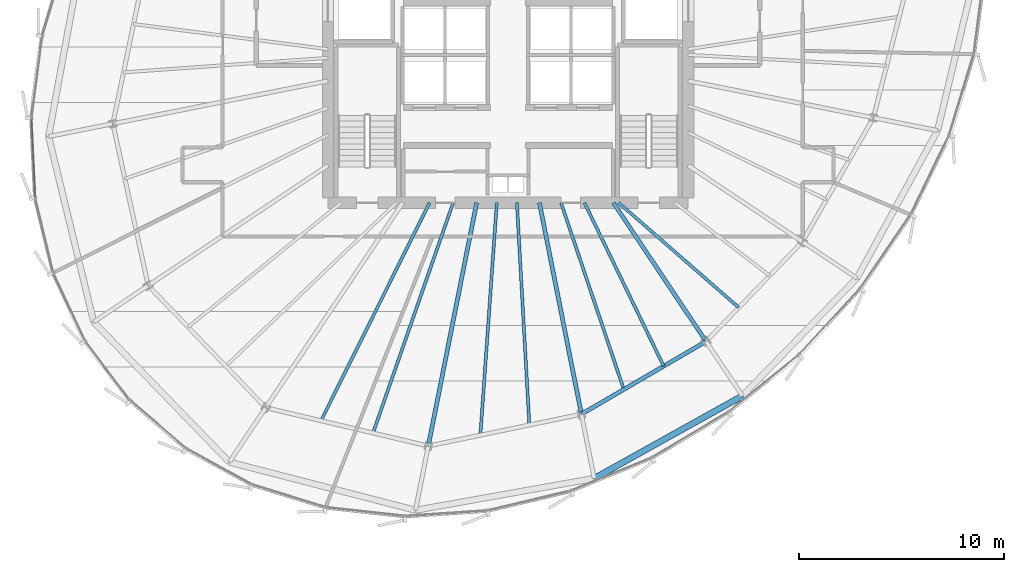
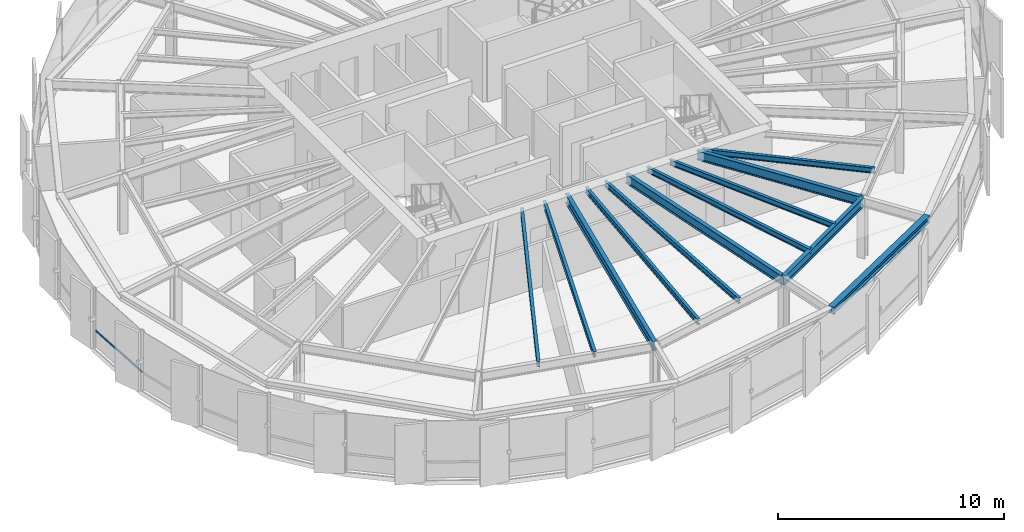
# One storey, part 7 of 34: 12 beams, 1 member, 1 element without a shape of its own.
"""IFC4 building model written with IfcOpenShell, lengths in metres."""

import ifcopenshell
import ifcopenshell.guid

model = None  # the IFC model being written
_history = None  # IfcOwnerHistory: only IFC2X3 demands one
_inside = {}  # id of a spatial element -> (the spatial element, [elements in it])
_under = {}  # id of a project, library or spatial element -> (it, [spatial elements below it])
_declared = {}  # id of a project -> (the project, [libraries it declares])
_typed = {}  # id of a type object -> (the type object, [elements of that type])
_made_of = {}  # id of a material, layer set ... -> (it, [elements and type objects made of it])


def new_model(schema):
    """Start an empty IFC model of exactly this schema.

    Asked for "IFC4X3", IfcOpenShell would pick the latest addendum, in which some entities
    have other attributes; the version numbers below select the first issue.
    IFC2X3 requires an IfcOwnerHistory on every rooted entity: one is made here for all.
    """
    global model, _history
    if schema == "IFC4X3":
        model = ifcopenshell.file(schema_version=(4, 3, 0, 0))
    else:
        model = ifcopenshell.file(schema=schema)
    _inside.clear()
    _under.clear()
    _declared.clear()
    _typed.clear()
    _made_of.clear()
    _history = None
    if model.schema == "IFC2X3":
        org = make("IfcOrganization", Name="unknown")
        user = make(
            "IfcPersonAndOrganization",
            ThePerson=make("IfcPerson", FamilyName="unknown"),
            TheOrganization=org,
        )
        app = make(
            "IfcApplication",
            ApplicationDeveloper=org,
            Version="unknown",
            ApplicationFullName="unknown",
            ApplicationIdentifier="unknown",
        )
        _history = make(
            "IfcOwnerHistory",
            OwningUser=user,
            OwningApplication=app,
            ChangeAction="ADDED",
            CreationDate=0,
        )
    return model


def make(cls, **values):
    """One entity of the class cls with the attributes given. An attribute that is None is left unset."""
    return model.create_entity(
        cls, **{name: value for name, value in values.items() if value is not None}
    )


def rooted(cls, **values):
    """An entity with a GlobalId (a new one), such as an element, a storey or a relation."""
    return make(cls, GlobalId=ifcopenshell.guid.new(), OwnerHistory=_history, **values)


def si_unit(unit_type, name, prefix=None):
    """IfcSIUnit, for example si_unit("LENGTHUNIT", "METRE", prefix="MILLI")."""
    return make("IfcSIUnit", UnitType=unit_type, Prefix=prefix, Name=name)


def assignment(units):
    """IfcUnitAssignment: the units of a project."""
    return None if units is None else make("IfcUnitAssignment", Units=units)


def point(xyz):
    """IfcCartesianPoint."""
    return None if xyz is None else make("IfcCartesianPoint", Coordinates=xyz)


def direction(xyz):
    """IfcDirection."""
    return None if xyz is None else make("IfcDirection", DirectionRatios=xyz)


def frame(location, z_axis=None, x_axis=None):
    """IfcAxis2Placement3D, a coordinate frame: its origin and axes. An axis left out is left unset."""
    return make(
        "IfcAxis2Placement3D",
        Location=point(location),
        Axis=direction(z_axis),
        RefDirection=direction(x_axis),
    )


def frame_2d(location, x_axis=None):
    """IfcAxis2Placement2D, a coordinate frame in the plane: its origin and x axis."""
    return make(
        "IfcAxis2Placement2D", Location=point(location), RefDirection=direction(x_axis)
    )


def origin():
    """The frame at (0, 0, 0) with its axes left unset."""
    return frame((0.0, 0.0, 0.0))


def origin_2d():
    """The frame at (0, 0) in the plane with its x axis left unset."""
    return frame_2d((0.0, 0.0))


def place(relative_to, where):
    """IfcLocalPlacement: puts the frame where relative to a parent placement (None: the world)."""
    return make(
        "IfcLocalPlacement", PlacementRelTo=relative_to, RelativePlacement=where
    )


def context(
    kind, dimensions, precision=None, world=None, true_north=None, identifier=None
):
    """IfcGeometricRepresentationContext, for example the 3D "Model" context."""
    return make(
        "IfcGeometricRepresentationContext",
        ContextIdentifier=identifier,
        ContextType=kind,
        CoordinateSpaceDimension=dimensions,
        Precision=precision,
        WorldCoordinateSystem=world,
        TrueNorth=true_north,
    )


def subcontext(parent, identifier, kind, view, scale=None):
    """IfcGeometricRepresentationSubContext, for example "Body" below "Model"."""
    return make(
        "IfcGeometricRepresentationSubContext",
        ContextIdentifier=identifier,
        ContextType=kind,
        ParentContext=parent,
        TargetScale=scale,
        TargetView=view,
    )


def project(units=None, contexts=None):
    """IfcProject with its units and contexts."""
    return rooted(
        "IfcProject",
        Name="project",
        RepresentationContexts=contexts,
        UnitsInContext=assignment(units),
    )


def spatial(cls, under=None, at=None, **own):
    """A site, building, storey or space (cls), placed at a placement, below another one or the project."""
    s = rooted(cls, ObjectPlacement=at, **own)
    if under is not None:
        _under.setdefault(under.id(), (under, []))[1].append(s)
    return s


def profile(cls, at=None, kind="AREA", **sizes):
    """A parametric profile (cls). Its sizes go by their IFC names, for example OverallWidth=200.0."""
    return make(cls, ProfileType=kind, Position=at, **sizes)


def hollow_rectangle(**sizes):
    """IfcRectangleHollowProfileDef."""
    return profile("IfcRectangleHollowProfileDef", **sizes)


def i_section(**sizes):
    """IfcIShapeProfileDef."""
    return profile("IfcIShapeProfileDef", **sizes)


def extrude(swept, where, along, depth):
    """IfcExtrudedAreaSolid: the profile swept, set in the frame where, extruded along a direction by depth."""
    return make(
        "IfcExtrudedAreaSolid",
        SweptArea=swept,
        Position=where,
        ExtrudedDirection=direction(along),
        Depth=depth,
    )


def shape(context_of_items, identifier, shape_type, items):
    """IfcShapeRepresentation: the items that make up one representation, for example the "Body"."""
    return make(
        "IfcShapeRepresentation",
        ContextOfItems=context_of_items,
        RepresentationIdentifier=identifier,
        RepresentationType=shape_type,
        Items=items,
    )


def source(mapping_origin, context_of_items, identifier, shape_type, items):
    """IfcRepresentationMap: a shape defined once, which mapped items show again and again."""
    return make(
        "IfcRepresentationMap",
        MappingOrigin=mapping_origin,
        MappedRepresentation=shape(context_of_items, identifier, shape_type, items),
    )


def transform(
    local_origin,
    x_axis=None,
    y_axis=None,
    z_axis=None,
    scale=None,
    scale2=None,
    scale3=None,
    uniform=True,
):
    """IfcCartesianTransformationOperator3D, or its non-uniform kind. x_axis, y_axis, z_axis: its Axis1, 2, 3."""
    if uniform:
        return make(
            "IfcCartesianTransformationOperator3D",
            Axis1=direction(x_axis),
            Axis2=direction(y_axis),
            LocalOrigin=point(local_origin),
            Scale=scale,
            Axis3=direction(z_axis),
        )
    return make(
        "IfcCartesianTransformationOperator3DnonUniform",
        Axis1=direction(x_axis),
        Axis2=direction(y_axis),
        LocalOrigin=point(local_origin),
        Scale=scale,
        Axis3=direction(z_axis),
        Scale2=scale2,
        Scale3=scale3,
    )


def mapped(mapping_source, mapping_target):
    """IfcMappedItem: shows the shape of a source again, moved by a transform."""
    return make(
        "IfcMappedItem", MappingSource=mapping_source, MappingTarget=mapping_target
    )


def material(Name=None, Category=None):
    """IfcMaterial."""
    return make("IfcMaterial", Name=Name, Category=Category)


def layer(
    of_material, thickness, ventilated=None, Name=None, Category=None, Priority=None
):
    """IfcMaterialLayer: one layer of a wall or slab, of a material (None: an air gap)."""
    return make(
        "IfcMaterialLayer",
        Material=of_material,
        LayerThickness=thickness,
        IsVentilated=ventilated,
        Name=Name,
        Category=Category,
        Priority=Priority,
    )


def layer_set(layers, Name=None):
    """IfcMaterialLayerSet."""
    return make("IfcMaterialLayerSet", MaterialLayers=layers, LayerSetName=Name)


def material_profile(
    of_material, cross_section, Name=None, Category=None, Priority=None
):
    """IfcMaterialProfile: a cross section and its material."""
    return make(
        "IfcMaterialProfile",
        Name=Name,
        Material=of_material,
        Profile=cross_section,
        Priority=Priority,
        Category=Category,
    )


def profile_set(profiles, Name=None, composite=None):
    """IfcMaterialProfileSet."""
    return make(
        "IfcMaterialProfileSet",
        Name=Name,
        MaterialProfiles=profiles,
        CompositeProfile=composite,
    )


def made_of(thing, what):
    """Note that an element or type object is made of a material, layer set ...; save() writes the relation."""
    if what is not None:
        _made_of.setdefault(what.id(), (what, []))[1].append(thing)
    return thing


def type_object(cls, material=None, **own):
    """A type object (cls), such as IfcWallType, which elements share."""
    return made_of(rooted(cls, **own), material)


def element(
    cls,
    number,
    at=None,
    inside=None,
    cuts=None,
    type_object=None,
    material=None,
    context=None,
    identifier="Body",
    shape_type=None,
    held_by="IfcProductDefinitionShape",
    body=None,
    shapes=None,
    **own,
):
    """One element of the class cls, such as IfcWall. Its Tag is "e" and its number.

    at: its placement. inside: the storey or other place that contains it. cuts: it is an
    opening in that element (IfcRelVoidsElement). A single representation is given by context,
    identifier, shape_type and body (its items); several are given by shapes. held_by: the class
    of the entity that holds the representations. save() writes the other relations.
    """
    e = rooted(cls, Tag="e%d" % number, ObjectPlacement=at, **own)
    if body is not None:
        shapes = [shape(context, identifier, shape_type, body)]
    if shapes is not None:
        e.Representation = make(held_by, Representations=shapes)
    if inside is not None:
        _inside.setdefault(inside.id(), (inside, []))[1].append(e)
    if cuts is not None:
        rooted(
            "IfcRelVoidsElement", RelatingBuildingElement=cuts, RelatedOpeningElement=e
        )
    if type_object is not None:
        _typed.setdefault(type_object.id(), (type_object, []))[1].append(e)
    return made_of(e, material)


def aggregate(whole, parts):
    """IfcRelAggregates: a whole, such as a stair, and the parts it consists of."""
    return rooted("IfcRelAggregates", RelatingObject=whole, RelatedObjects=parts)


def save(model, path):
    """Write the relations noted so far, then the file.

    IfcRelAggregates (storeys below a building ...), IfcRelContainedInSpatialStructure (elements
    in a storey), IfcRelDefinesByType, IfcRelAssociatesMaterial and IfcRelDeclares: one each for
    every whole, place, type object, material and project.
    """
    for whole, parts in _under.values():
        aggregate(whole, parts)
    for where, things in _inside.values():
        rooted(
            "IfcRelContainedInSpatialStructure",
            RelatedElements=things,
            RelatingStructure=where,
        )
    for kind, things in _typed.values():
        rooted("IfcRelDefinesByType", RelatedObjects=things, RelatingType=kind)
    for what, things in _made_of.values():
        rooted("IfcRelAssociatesMaterial", RelatedObjects=things, RelatingMaterial=what)
    for by, libraries in _declared.values():
        rooted("IfcRelDeclares", RelatingContext=by, RelatedDefinitions=libraries)
    model.write(path)


model = new_model("IFC4")

# Units and contexts
model_context = context("Model", 3, precision=1e-05, world=origin(), true_north=direction((0.0, 1.0)))
body_context = subcontext(model_context, "Body", "Model", "MODEL_VIEW")
ifc_project = project(units=[si_unit("LENGTHUNIT", "METRE"), si_unit("AREAUNIT", "SQUARE_METRE"), si_unit("VOLUMEUNIT", "CUBIC_METRE"), si_unit("PLANEANGLEUNIT", "RADIAN"), si_unit("MASSUNIT", "GRAM", prefix="KILO"), si_unit("THERMODYNAMICTEMPERATUREUNIT", "KELVIN")], contexts=[model_context])

# Site, building, storey
site_placement = place(None, origin())
site = spatial("IfcSite", under=ifc_project, at=site_placement, CompositionType="ELEMENT")
building_placement = place(site_placement, origin())
building = spatial("IfcBuilding", under=site, at=building_placement, Name="Kethvar Cultural Tower", CompositionType="ELEMENT")
storey_placement = place(building_placement, frame((0.0, 0.0, 207.89990234375)))
storey = spatial("IfcBuildingStorey", under=building, at=storey_placement, Name="L54", CompositionType="ELEMENT", Elevation=207.89990234375)

# Beams
ifc_material_1 = material(Name="Steel S355J2", Category="steel")
ifc_material_profile_1 = material_profile(ifc_material_1, i_section(OverallWidth=0.199951171875, OverallDepth=0.5, WebThickness=0.01025390625, FlangeThickness=0.01611328125, FilletRadius=0.02099609375, at=origin_2d()), Name="Steel S355J2 — IPE500")
ifc_profile_set_1 = profile_set([ifc_material_profile_1], Name="Steel S355J2 — IPE500")
beam_type_1 = type_object("IfcBeamType", Name="BM-IPE500", PredefinedType="BEAM", material=ifc_profile_set_1)
shared_shape_1 = source(origin(), body_context, "Body", "SweptSolid", [
    extrude(i_section(OverallWidth=0.199951171875, OverallDepth=0.5, WebThickness=0.01025390625, FlangeThickness=0.01611328125, FilletRadius=0.02099609375, at=origin_2d()), origin(), (0.0, 0.0, 1.0), 12.1220703125),
])
beam_1_placement = place(storey_placement, frame((45.268310546875, 20.10009765625, 3.008056640625), z_axis=(-0.195078030057, -0.980787725346, 0.0), x_axis=(0.980787725346, -0.195078030057, 0.0)))
element("IfcBeam", 1, at=beam_1_placement, inside=storey, type_object=beam_type_1, Name="L54 Primary Radial Beam RB-12", PredefinedType="BEAM", context=body_context, shape_type="MappedRepresentation", body=[
    mapped(shared_shape_1, transform((0.0, 0.0, 0.0), scale=1.0)),
])
shared_shape_2 = source(origin(), body_context, "Body", "SweptSolid", [
    extrude(i_section(OverallWidth=0.199951171875, OverallDepth=0.5, WebThickness=0.01025390625, FlangeThickness=0.01611328125, FilletRadius=0.02099609375, at=origin_2d()), origin(), (0.0, 0.0, 1.0), 10.533935546875),
])
beam_2_placement = place(storey_placement, frame((48.33154296875, 20.10009765625, 3.008056640625), z_axis=(0.19509982917, -0.980783389265, 0.0), x_axis=(0.980783389265, 0.19509982917, 0.0)))
element("IfcBeam", 2, at=beam_2_placement, inside=storey, type_object=beam_type_1, Name="L54 Primary Radial Beam RB-13", PredefinedType="BEAM", context=body_context, shape_type="MappedRepresentation", body=[
    mapped(shared_shape_2, transform((0.0, 0.0, 0.0), scale=1.0)),
])
shared_shape_3 = source(origin(), body_context, "Body", "SweptSolid", [
    extrude(i_section(OverallWidth=0.199951171875, OverallDepth=0.5, WebThickness=0.01025390625, FlangeThickness=0.01611328125, FilletRadius=0.02099609375, at=origin_2d()), origin(), (0.0, 0.0, 1.0), 8.1533203125),
])
beam_3_placement = place(storey_placement, frame((51.945068359375, 20.10009765625, 3.008056640625), z_axis=(0.555549853936, -0.831483228809, 0.0), x_axis=(0.831483228809, 0.555549853936, 0.0)))
element("IfcBeam", 3, at=beam_3_placement, inside=storey, type_object=beam_type_1, Name="L54 Primary Radial Beam RB-14", PredefinedType="BEAM", context=body_context, shape_type="MappedRepresentation", body=[
    mapped(shared_shape_3, transform((0.0, 0.0, 0.0), scale=1.0)),
])
ifc_material_profile_2 = material_profile(ifc_material_1, i_section(OverallWidth=0.14990234375, OverallDepth=0.300048828125, WebThickness=0.007080078125, FlangeThickness=0.0107421875, FilletRadius=0.014892578125, at=origin_2d()), Name="Steel S355J2 — IPE300")
ifc_profile_set_2 = profile_set([ifc_material_profile_2], Name="Steel S355J2 — IPE300")
beam_type_2 = type_object("IfcBeamType", Name="BM-J300", PredefinedType="JOIST", material=ifc_profile_set_2)
shared_shape_4 = source(origin(), body_context, "Body", "SweptSolid", [
    extrude(i_section(OverallWidth=0.14990234375, OverallDepth=0.300048828125, WebThickness=0.007080078125, FlangeThickness=0.0107421875, FilletRadius=0.014892578125, at=origin_2d()), origin(), (0.0, 0.0, 1.0), 11.900146484375),
])
beam_4_placement = place(storey_placement, frame((42.96630859375, 20.10009765625, 3.108154296875), z_axis=(-0.445686564233, -0.89518907861, 0.0), x_axis=(0.89518907861, -0.445686564233, 0.0)))
element("IfcBeam", 4, at=beam_4_placement, inside=storey, type_object=beam_type_2, Name="L54 Composite Floor Joist J-11A", PredefinedType="JOIST", context=body_context, shape_type="MappedRepresentation", body=[
    mapped(shared_shape_4, transform((0.0, 0.0, 0.0), scale=1.0)),
])
shared_shape_5 = source(origin(), body_context, "Body", "SweptSolid", [
    extrude(i_section(OverallWidth=0.14990234375, OverallDepth=0.300048828125, WebThickness=0.007080078125, FlangeThickness=0.0107421875, FilletRadius=0.014892578125, at=origin_2d()), origin(), (0.0, 0.0, 1.0), 11.914306640625),
])
beam_5_placement = place(storey_placement, frame((44.1201171875, 20.10009765625, 3.108154296875), z_axis=(-0.328722490218, -0.944426558513, 0.0), x_axis=(0.944426558513, -0.328722490218, 0.0)))
element("IfcBeam", 5, at=beam_5_placement, inside=storey, type_object=beam_type_2, Name="L54 Composite Floor Joist J-11B", PredefinedType="JOIST", context=body_context, shape_type="MappedRepresentation", body=[
    mapped(shared_shape_5, transform((0.0, 0.0, 0.0), scale=1.0)),
])
shared_shape_6 = source(origin(), body_context, "Body", "SweptSolid", [
    extrude(i_section(OverallWidth=0.14990234375, OverallDepth=0.300048828125, WebThickness=0.007080078125, FlangeThickness=0.0107421875, FilletRadius=0.014892578125, at=origin_2d()), origin(), (0.0, 0.0, 1.0), 11.38818359375),
])
beam_6_placement = place(storey_placement, frame((46.253662109375, 20.10009765625, 3.108154296875), z_axis=(-0.070767133242, -0.99749286356, 0.0), x_axis=(0.99749286356, -0.070767133242, 0.0)))
element("IfcBeam", 6, at=beam_6_placement, inside=storey, type_object=beam_type_2, Name="L54 Composite Floor Joist J-12A", PredefinedType="JOIST", context=body_context, shape_type="MappedRepresentation", body=[
    mapped(shared_shape_6, transform((0.0, 0.0, 0.0), scale=1.0)),
])
shared_shape_7 = source(origin(), body_context, "Body", "SweptSolid", [
    extrude(i_section(OverallWidth=0.14990234375, OverallDepth=0.300048828125, WebThickness=0.007080078125, FlangeThickness=0.0107421875, FilletRadius=0.014892578125, at=origin_2d()), origin(), (0.0, 0.0, 1.0), 10.878173828125),
])
beam_7_placement = place(storey_placement, frame((47.232421875, 20.10009765625, 3.108154296875), z_axis=(0.056062922639, -0.998427237562, 0.0), x_axis=(0.998427237562, 0.056062922639, 0.0)))
element("IfcBeam", 7, at=beam_7_placement, inside=storey, type_object=beam_type_2, Name="L54 Composite Floor Joist J-12B", PredefinedType="JOIST", context=body_context, shape_type="MappedRepresentation", body=[
    mapped(shared_shape_7, transform((0.0, 0.0, 0.0), scale=1.0)),
])
shared_shape_8 = source(origin(), body_context, "Body", "SweptSolid", [
    extrude(i_section(OverallWidth=0.199951171875, OverallDepth=0.5, WebThickness=0.01025390625, FlangeThickness=0.01611328125, FilletRadius=0.02099609375, at=origin_2d()), origin(), (0.0, 0.0, 1.0), 7.048583984375),
])
beam_8_placement = place(storey_placement, frame((50.38671875, 9.7685546875, 3.008056640625), z_axis=(0.863718593305, 0.503974395757, 0.0), x_axis=(-0.503974395757, 0.863718593305, 0.0)))
element("IfcBeam", 8, at=beam_8_placement, inside=storey, type_object=beam_type_1, Name="L54 Column Ring Tie Beam CR-13", PredefinedType="BEAM", context=body_context, shape_type="MappedRepresentation", body=[
    mapped(shared_shape_8, transform((0.0, 0.0, 0.0), scale=1.0)),
])
ifc_material_profile_3 = material_profile(ifc_material_1, i_section(OverallWidth=0.300048828125, OverallDepth=0.360107421875, WebThickness=0.012451171875, FlangeThickness=0.0224609375, FilletRadius=0.027099609375, at=origin_2d()), Name="Steel S355J2 — HEB360")
ifc_profile_set_3 = profile_set([ifc_material_profile_3], Name="Steel S355J2 — HEB360")
beam_type_3 = type_object("IfcBeamType", Name="BM-SP360", PredefinedType="SPANDREL", material=ifc_profile_set_3)
shared_shape_9 = source(origin(), body_context, "Body", "SweptSolid", [
    extrude(i_section(OverallWidth=0.300048828125, OverallDepth=0.360107421875, WebThickness=0.012451171875, FlangeThickness=0.0224609375, FilletRadius=0.027099609375, at=origin_2d()), origin(), (0.0, 0.0, 1.0), 8.287353515625),
])
beam_9_placement = place(storey_placement, frame((51.010986328125, 6.630126953125, 3.078125), z_axis=(0.873798521244, 0.486288128862, 0.0), x_axis=(-0.486288128862, 0.873798521244, 0.0)))
element("IfcBeam", 9, at=beam_9_placement, inside=storey, type_object=beam_type_3, Name="L54 Perimeter Spandrel Beam SP-13", PredefinedType="SPANDREL", context=body_context, shape_type="MappedRepresentation", body=[
    mapped(shared_shape_9, transform((0.0, 0.0, 0.0), scale=1.0)),
])
shared_shape_10 = source(origin(), body_context, "Body", "SweptSolid", [
    extrude(i_section(OverallWidth=0.14990234375, OverallDepth=0.300048828125, WebThickness=0.007080078125, FlangeThickness=0.0107421875, FilletRadius=0.014892578125, at=origin_2d()), origin(), (0.0, 0.0, 1.0), 9.625732421875),
])
beam_10_placement = place(storey_placement, frame((49.388916015625, 20.10009765625, 3.108154296875), z_axis=(0.31869202774, -0.947858318239, 0.0), x_axis=(0.947858318239, 0.31869202774, 0.0)))
element("IfcBeam", 10, at=beam_10_placement, inside=storey, type_object=beam_type_2, Name="L54 Composite Floor Joist J-13A", PredefinedType="JOIST", context=body_context, shape_type="MappedRepresentation", body=[
    mapped(shared_shape_10, transform((0.0, 0.0, 0.0), scale=1.0)),
])
shared_shape_11 = source(origin(), body_context, "Body", "SweptSolid", [
    extrude(i_section(OverallWidth=0.14990234375, OverallDepth=0.300048828125, WebThickness=0.007080078125, FlangeThickness=0.0107421875, FilletRadius=0.014892578125, at=origin_2d()), origin(), (0.0, 0.0, 1.0), 8.8759765625),
])
beam_11_placement = place(storey_placement, frame((50.532958984375, 20.10009765625, 3.108154296875), z_axis=(0.436210743691, -0.899844534955, 0.0), x_axis=(0.899844534955, 0.436210743691, 0.0)))
element("IfcBeam", 11, at=beam_11_placement, inside=storey, type_object=beam_type_2, Name="L54 Composite Floor Joist J-13B", PredefinedType="JOIST", context=body_context, shape_type="MappedRepresentation", body=[
    mapped(shared_shape_11, transform((0.0, 0.0, 0.0), scale=1.0)),
])
shared_shape_12 = source(origin(), body_context, "Body", "SweptSolid", [
    extrude(i_section(OverallWidth=0.14990234375, OverallDepth=0.300048828125, WebThickness=0.007080078125, FlangeThickness=0.0107421875, FilletRadius=0.014892578125, at=origin_2d()), origin(), (0.0, 0.0, 1.0), 7.7958984375),
])
beam_12_placement = place(storey_placement, frame((52.199951171875, 20.10009765625, 3.108154296875), z_axis=(0.753673681644, -0.657248797335, 0.0), x_axis=(0.657248797335, 0.753673681644, 0.0)))
element("IfcBeam", 12, at=beam_12_placement, inside=storey, type_object=beam_type_2, Name="L54 Composite Floor Joist J-14A", PredefinedType="JOIST", context=body_context, shape_type="MappedRepresentation", body=[
    mapped(shared_shape_12, transform((0.0, 0.0, 0.0), scale=1.0)),
])

# Curtain wall, member
ifc_material_2 = material(Name="Aluminium 6063-T6", Category="aluminium")
ifc_layer = layer(ifc_material_2, 0.179931640625, Name="Aluminium 6063-T6", Category="aluminium")
ifc_layer_set = layer_set([ifc_layer], Name="Aluminium 6063-T6 (180 mm)")
curtain_wall_type = type_object("IfcCurtainWallType", Name="CW-SYS-04-Z34", PredefinedType="NOTDEFINED", material=ifc_layer_set)
curtain_wall_placement = place(storey_placement, origin())
curtain_wall = element("IfcCurtainWall", 13, at=curtain_wall_placement, inside=storey, type_object=curtain_wall_type, Name="L54 Curtain Wall Run 03", PredefinedType="NOTDEFINED")
ifc_material_profile_4 = material_profile(ifc_material_2, hollow_rectangle(XDim=0.050048828125, YDim=0.10009765625, WallThickness=0.00390625, at=origin_2d()), Name="Aluminium 6063-T6 — RHS100x50x4")
ifc_profile_set_4 = profile_set([ifc_material_profile_4], Name="Aluminium 6063-T6 — RHS100x50x4")
member_type = type_object("IfcMemberType", Name="CW-SYS-04-Z34-TRN", PredefinedType="USERDEFINED", material=ifc_profile_set_4)
shared_shape_13 = source(origin(), body_context, "Body", "SweptSolid", [
    extrude(hollow_rectangle(XDim=0.050048828125, YDim=0.10009765625, WallThickness=0.00390625, at=origin_2d()), origin(), (0.0, 0.0, 1.0), 3.83154296875),
])
member_placement = place(storey_placement, frame((23.519287109375, 24.192138671875, 0.9501953125), z_axis=(0.047086834285, -0.998890799856, 0.0), x_axis=(0.998890799856, 0.047086834285, 0.0)))
member = element("IfcMember", 14, at=member_placement, type_object=member_type, Name="CW-L54-R03 Transom 3", ObjectType="TRANSOM", PredefinedType="USERDEFINED", context=body_context, shape_type="MappedRepresentation", body=[
    mapped(shared_shape_13, transform((0.0, 0.0, 0.0), scale=1.0)),
])
aggregate(curtain_wall, [member])

save(model, "model.ifc")
